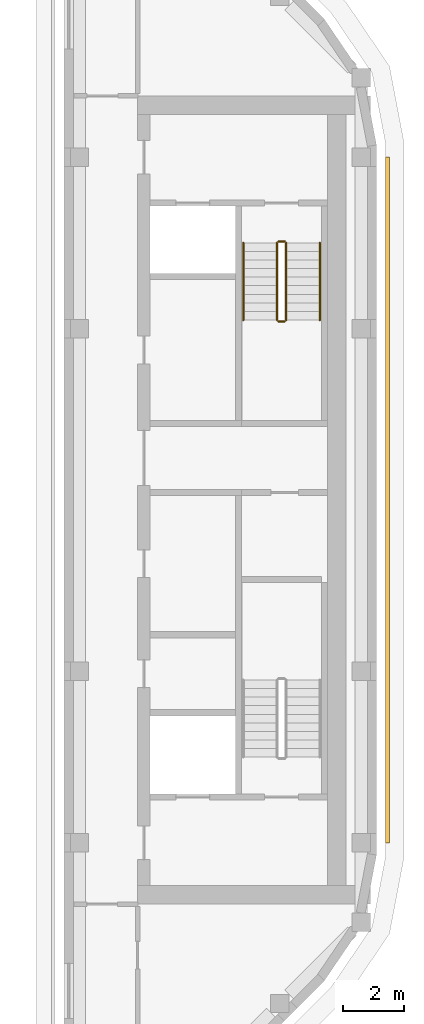
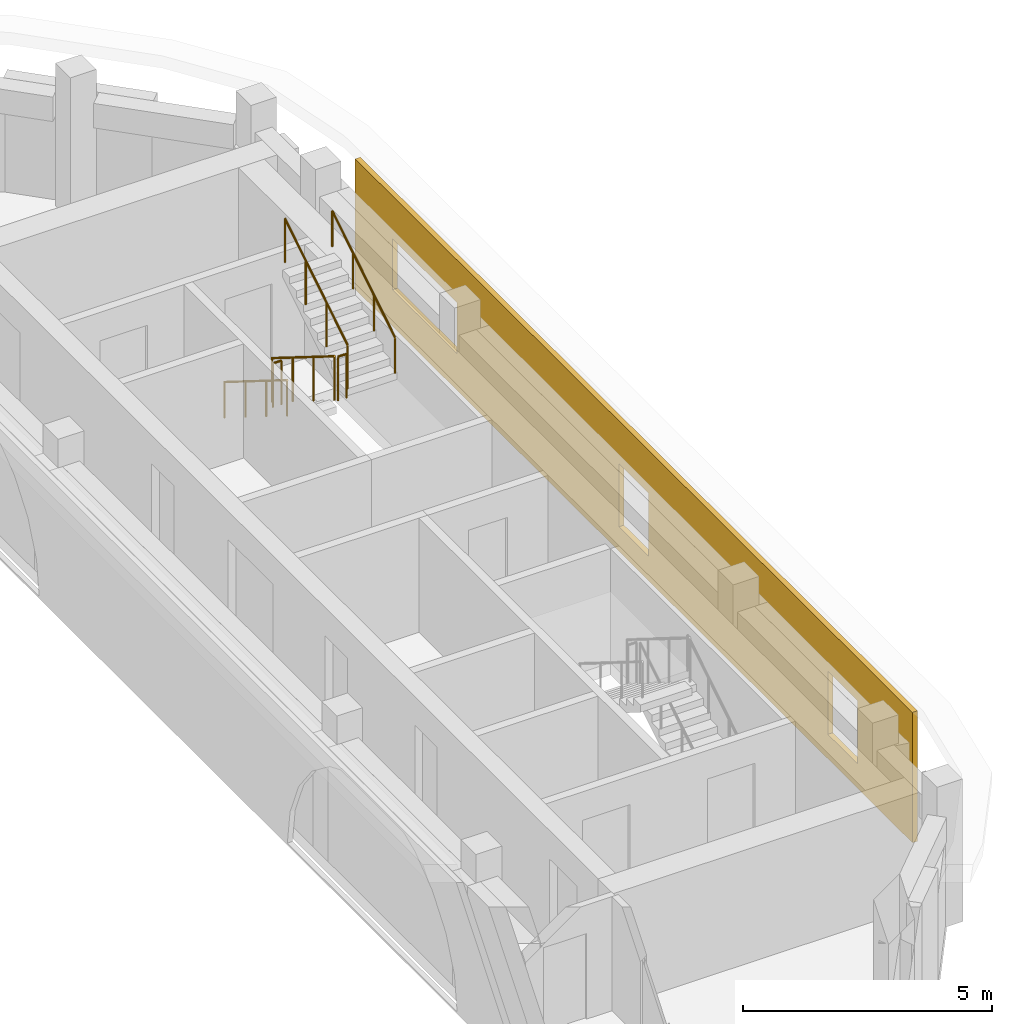
# One storey, part 11 of 12: 6 railings, 1 covering.
"""IFC4 building model written with IfcOpenShell, lengths in metres."""

from ifc_helpers import new_model, si_unit, direction, frame, origin, origin_2d, place, context, subcontext, project, spatial, polyline, circle, outline, extrude, material, layer, layer_set, type_object, element, save


model = new_model("IFC4")

# Units and contexts
model_context = context("Model", 3, precision=1e-05, world=origin(), true_north=direction((0.0, 1.0)))
body_context = subcontext(model_context, "Body", "Model", "MODEL_VIEW")
ifc_project = project(units=[si_unit("LENGTHUNIT", "METRE"), si_unit("AREAUNIT", "SQUARE_METRE"), si_unit("VOLUMEUNIT", "CUBIC_METRE"), si_unit("PLANEANGLEUNIT", "RADIAN"), si_unit("MASSUNIT", "GRAM", prefix="KILO")], contexts=[model_context])

# Site, building, storey
site_placement = place(None, origin())
site = spatial("IfcSite", under=ifc_project, at=site_placement, CompositionType="ELEMENT")
building_placement = place(site_placement, origin())
building = spatial("IfcBuilding", under=site, at=building_placement, Name="Kiln Ring Residences", CompositionType="ELEMENT")
storey_placement = place(building_placement, frame((0.0, 0.0, 310.39990234375)))
storey = spatial("IfcBuildingStorey", under=building, at=storey_placement, Name="L80 Crown", CompositionType="ELEMENT", Elevation=310.39990234375)

# Railings
ifc_material_1 = material(Name="Stainless steel", Category="steel")
railing_type_1 = type_object("IfcRailingType", Name="CORE-STAIR-GUARD", PredefinedType="GUARDRAIL", material=ifc_material_1)
railing_1_placement = place(storey_placement, frame((21.949951171875, 8.39990234375, 0.175048828125)))
element("IfcRailing", 1, at=railing_1_placement, inside=storey, type_object=railing_type_1, Name="L80 Crown E-STN stair guard 1", PredefinedType="GUARDRAIL", context=body_context, shape_type="SweptSolid", body=[
    extrude(circle(Radius=0.02392578125, at=origin_2d()), frame((0.0, 0.0, 1.076171875), z_axis=(0.0, -0.848007534815, 0.529984170421), x_axis=(1.0, 0.0, 0.0)), (0.0, 0.0, 1.0), 2.9716796875),
    extrude(circle(Radius=0.02099609375, at=origin_2d()), origin(), (0.0, 0.0, 1.0), 1.052001953125),
    extrude(circle(Radius=0.02099609375, at=origin_2d()), frame((0.0, -0.840087890625, 0.52490234375)), (0.0, 0.0, 1.0), 1.052001953125),
    extrude(circle(Radius=0.02099609375, at=origin_2d()), frame((0.0, -1.679931640625, 1.050048828125)), (0.0, 0.0, 1.0), 1.052001953125),
    extrude(circle(Radius=0.02099609375, at=origin_2d()), frame((0.0, -2.52001953125, 1.574951171875)), (0.0, 0.0, 1.0), 1.052001953125),
])
railing_2_placement = place(storey_placement, frame((22.0, 5.830078125, 1.75)))
element("IfcRailing", 2, at=railing_2_placement, inside=storey, type_object=railing_type_1, Name="L80 Crown E-STN stair guard 2", PredefinedType="GUARDRAIL", context=body_context, shape_type="SweptSolid", body=[
    extrude(circle(Radius=0.02392578125, at=origin_2d()), frame((0.0, 0.0, 1.076171875), z_axis=(1.0, 0.0, 0.0), x_axis=(0.0, 1.0, 0.0)), (0.0, 0.0, 1.0), 0.199951171875),
    extrude(circle(Radius=0.02099609375, at=origin_2d()), origin(), (0.0, 0.0, 1.0), 1.052001953125),
    extrude(circle(Radius=0.02099609375, at=origin_2d()), frame((0.199951171875, 0.0, 0.0)), (0.0, 0.0, 1.0), 1.052001953125),
])
railing_3_placement = place(storey_placement, frame((22.25, 5.8798828125, 1.925048828125)))
element("IfcRailing", 3, at=railing_3_placement, inside=storey, type_object=railing_type_1, Name="L80 Crown E-STN stair guard 3", PredefinedType="GUARDRAIL", context=body_context, shape_type="SweptSolid", body=[
    extrude(circle(Radius=0.02392578125, at=origin_2d()), frame((0.0, 0.0, 1.076171875), z_axis=(0.0, 0.848007534815, 0.529984170421), x_axis=(-1.0, 0.0, 0.0)), (0.0, 0.0, 1.0), 2.9716796875),
    extrude(circle(Radius=0.02099609375, at=origin_2d()), origin(), (0.0, 0.0, 1.0), 1.052001953125),
    extrude(circle(Radius=0.02099609375, at=origin_2d()), frame((0.0, 0.840087890625, 0.52490234375)), (0.0, 0.0, 1.0), 1.052001953125),
    extrude(circle(Radius=0.02099609375, at=origin_2d()), frame((0.0, 1.679931640625, 1.050048828125)), (0.0, 0.0, 1.0), 1.052001953125),
    extrude(circle(Radius=0.02099609375, at=origin_2d()), frame((0.0, 2.52001953125, 1.574951171875)), (0.0, 0.0, 1.0), 1.052001953125),
])
railing_4_placement = place(storey_placement, frame((22.0, 8.449951171875, 0.0)))
element("IfcRailing", 4, at=railing_4_placement, inside=storey, type_object=railing_type_1, Name="L80 Crown E-STN stair guard 4", PredefinedType="GUARDRAIL", context=body_context, shape_type="SweptSolid", body=[
    extrude(circle(Radius=0.02392578125, at=origin_2d()), frame((0.0, 0.0, 1.076171875), z_axis=(1.0, 0.0, 0.0), x_axis=(0.0, 1.0, 0.0)), (0.0, 0.0, 1.0), 0.199951171875),
    extrude(circle(Radius=0.02099609375, at=origin_2d()), origin(), (0.0, 0.0, 1.0), 1.052001953125),
    extrude(circle(Radius=0.02099609375, at=origin_2d()), frame((0.199951171875, 0.0, 0.0)), (0.0, 0.0, 1.0), 1.052001953125),
])
ifc_material_2 = material(Name="Stainless steel", Category="steel")
railing_type_2 = type_object("IfcRailingType", Name="CORE-STAIR-HANDRAIL", PredefinedType="HANDRAIL", material=ifc_material_2)
railing_5_placement = place(storey_placement, frame((20.85009765625, 8.39990234375, 0.175048828125)))
element("IfcRailing", 5, at=railing_5_placement, inside=storey, type_object=railing_type_2, Name="L80 Crown E-STN stair handrail 1", PredefinedType="HANDRAIL", context=body_context, shape_type="SweptSolid", body=[
    extrude(circle(Radius=0.02392578125, at=origin_2d()), frame((0.0, 0.0, 0.8759765625), z_axis=(0.0, -0.848007534815, 0.529984170421), x_axis=(1.0, 0.0, 0.0)), (0.0, 0.0, 1.0), 2.9716796875),
    extrude(circle(Radius=0.02099609375, at=origin_2d()), origin(), (0.0, 0.0, 1.0), 0.851806640625),
    extrude(circle(Radius=0.02099609375, at=origin_2d()), frame((0.0, -0.840087890625, 0.52490234375)), (0.0, 0.0, 1.0), 0.851806640625),
    extrude(circle(Radius=0.02099609375, at=origin_2d()), frame((0.0, -1.679931640625, 1.050048828125)), (0.0, 0.0, 1.0), 0.851806640625),
    extrude(circle(Radius=0.02099609375, at=origin_2d()), frame((0.0, -2.52001953125, 1.574951171875)), (0.0, 0.0, 1.0), 0.851806640625),
])
railing_6_placement = place(storey_placement, frame((23.35009765625, 5.8798828125, 1.925048828125)))
element("IfcRailing", 6, at=railing_6_placement, inside=storey, type_object=railing_type_2, Name="L80 Crown E-STN stair handrail 2", PredefinedType="HANDRAIL", context=body_context, shape_type="SweptSolid", body=[
    extrude(circle(Radius=0.02392578125, at=origin_2d()), frame((0.0, 0.0, 0.8759765625), z_axis=(0.0, 0.848007534815, 0.529984170421), x_axis=(-1.0, 0.0, 0.0)), (0.0, 0.0, 1.0), 2.9716796875),
    extrude(circle(Radius=0.02099609375, at=origin_2d()), origin(), (0.0, 0.0, 1.0), 0.851806640625),
    extrude(circle(Radius=0.02099609375, at=origin_2d()), frame((0.0, 0.840087890625, 0.52490234375)), (0.0, 0.0, 1.0), 0.851806640625),
    extrude(circle(Radius=0.02099609375, at=origin_2d()), frame((0.0, 1.679931640625, 1.050048828125)), (0.0, 0.0, 1.0), 0.851806640625),
    extrude(circle(Radius=0.02099609375, at=origin_2d()), frame((0.0, 2.52001953125, 1.574951171875)), (0.0, 0.0, 1.0), 0.851806640625),
])

# Covering
ifc_material_3 = material(Name="Brick masonry, dark clay brick", Category="masonry")
ifc_layer = layer(ifc_material_3, 0.1201171875)
ifc_layer_set = layer_set([ifc_layer], Name="RAINSCREEN PANEL 120")
covering_type = type_object("IfcCoveringType", Name="RAINSCREEN PANEL 120", PredefinedType="CLADDING", material=ifc_layer_set)
covering_placement = place(storey_placement, frame((25.56005859375, -11.199951171875, 0.0), z_axis=(0.0, 0.0, 1.0), x_axis=(0.0, 1.0, 0.0)))
element("IfcCovering", 7, at=covering_placement, inside=storey, type_object=covering_type, Name="RAINSCREEN L80 Crown", PredefinedType="CLADDING", context=body_context, shape_type="SweptSolid", body=[
    extrude(outline(polyline([(0.0, 0.0), (22.39990234375, 0.0), (22.39990234375, 3.2001953125), (0.0, 3.2001953125), (0.0, 0.0)]), holes=[polyline([(3.39990234375, 2.150146484375), (2.199951171875, 2.150146484375), (2.199951171875, 0.60009765625), (3.39990234375, 0.60009765625), (3.39990234375, 2.150146484375)]), polyline([(11.800048828125, 0.60009765625), (11.800048828125, 2.150146484375), (10.60009765625, 2.150146484375), (10.60009765625, 0.60009765625), (11.800048828125, 0.60009765625)]), polyline([(20.89990234375, 0.900146484375), (20.89990234375, 2.150146484375), (18.300048828125, 2.150146484375), (18.300048828125, 0.900146484375), (20.89990234375, 0.900146484375)])]), frame((0.0, 0.06005859375, 0.0), z_axis=(0.0, -1.0, 0.0), x_axis=(1.0, 0.0, 0.0)), (0.0, 0.0, 1.0), 0.1201171875),
])

save(model, "model.ifc")
